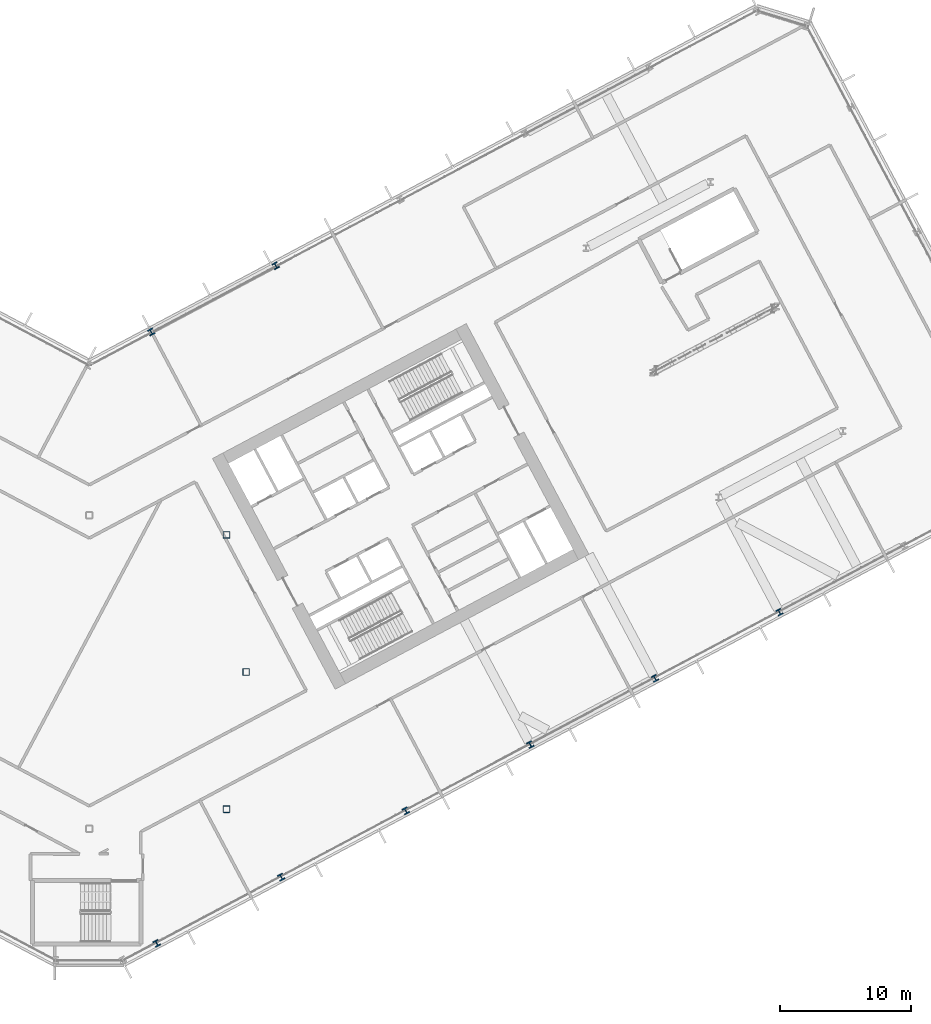
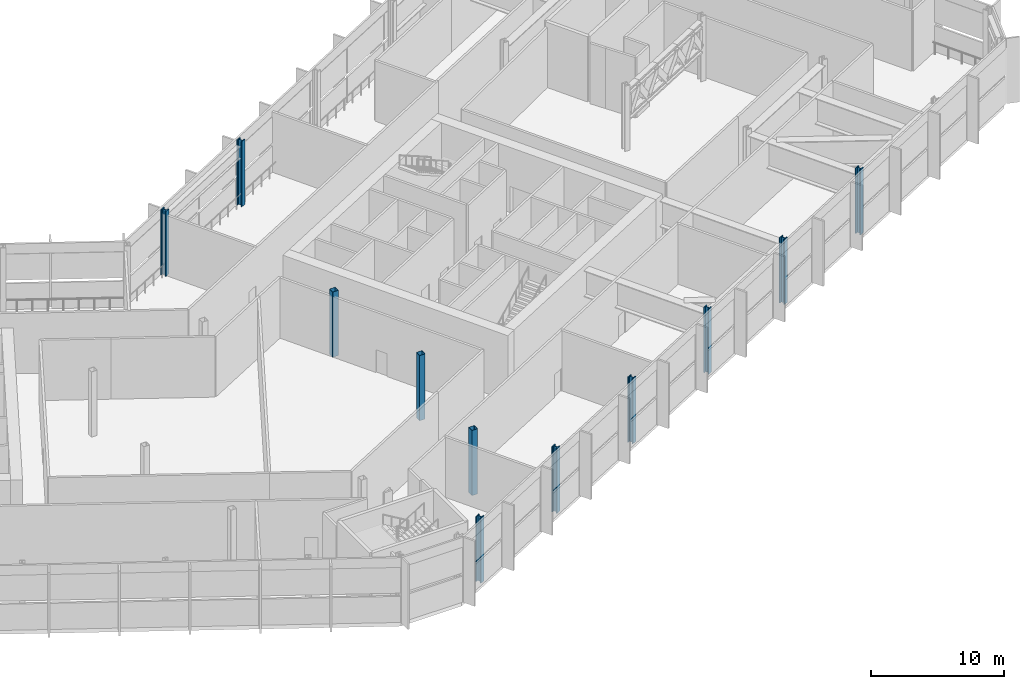
# One storey, part 3 of 33: 11 columns.
"""IFC4 building model written with IfcOpenShell, lengths in metres."""

import ifcopenshell
import ifcopenshell.guid

model = None  # the IFC model being written
_history = None  # IfcOwnerHistory: only IFC2X3 demands one
_inside = {}  # id of a spatial element -> (the spatial element, [elements in it])
_under = {}  # id of a project, library or spatial element -> (it, [spatial elements below it])
_declared = {}  # id of a project -> (the project, [libraries it declares])
_typed = {}  # id of a type object -> (the type object, [elements of that type])
_made_of = {}  # id of a material, layer set ... -> (it, [elements and type objects made of it])


def new_model(schema):
    """Start an empty IFC model of exactly this schema.

    Asked for "IFC4X3", IfcOpenShell would pick the latest addendum, in which some entities
    have other attributes; the version numbers below select the first issue.
    IFC2X3 requires an IfcOwnerHistory on every rooted entity: one is made here for all.
    """
    global model, _history
    if schema == "IFC4X3":
        model = ifcopenshell.file(schema_version=(4, 3, 0, 0))
    else:
        model = ifcopenshell.file(schema=schema)
    _inside.clear()
    _under.clear()
    _declared.clear()
    _typed.clear()
    _made_of.clear()
    _history = None
    if model.schema == "IFC2X3":
        org = make("IfcOrganization", Name="unknown")
        user = make(
            "IfcPersonAndOrganization",
            ThePerson=make("IfcPerson", FamilyName="unknown"),
            TheOrganization=org,
        )
        app = make(
            "IfcApplication",
            ApplicationDeveloper=org,
            Version="unknown",
            ApplicationFullName="unknown",
            ApplicationIdentifier="unknown",
        )
        _history = make(
            "IfcOwnerHistory",
            OwningUser=user,
            OwningApplication=app,
            ChangeAction="ADDED",
            CreationDate=0,
        )
    return model


def make(cls, **values):
    """One entity of the class cls with the attributes given. An attribute that is None is left unset."""
    return model.create_entity(
        cls, **{name: value for name, value in values.items() if value is not None}
    )


def rooted(cls, **values):
    """An entity with a GlobalId (a new one), such as an element, a storey or a relation."""
    return make(cls, GlobalId=ifcopenshell.guid.new(), OwnerHistory=_history, **values)


def si_unit(unit_type, name, prefix=None):
    """IfcSIUnit, for example si_unit("LENGTHUNIT", "METRE", prefix="MILLI")."""
    return make("IfcSIUnit", UnitType=unit_type, Prefix=prefix, Name=name)


def assignment(units):
    """IfcUnitAssignment: the units of a project."""
    return None if units is None else make("IfcUnitAssignment", Units=units)


def point(xyz):
    """IfcCartesianPoint."""
    return None if xyz is None else make("IfcCartesianPoint", Coordinates=xyz)


def direction(xyz):
    """IfcDirection."""
    return None if xyz is None else make("IfcDirection", DirectionRatios=xyz)


def frame(location, z_axis=None, x_axis=None):
    """IfcAxis2Placement3D, a coordinate frame: its origin and axes. An axis left out is left unset."""
    return make(
        "IfcAxis2Placement3D",
        Location=point(location),
        Axis=direction(z_axis),
        RefDirection=direction(x_axis),
    )


def frame_2d(location, x_axis=None):
    """IfcAxis2Placement2D, a coordinate frame in the plane: its origin and x axis."""
    return make(
        "IfcAxis2Placement2D", Location=point(location), RefDirection=direction(x_axis)
    )


def origin():
    """The frame at (0, 0, 0) with its axes left unset."""
    return frame((0.0, 0.0, 0.0))


def origin_2d():
    """The frame at (0, 0) in the plane with its x axis left unset."""
    return frame_2d((0.0, 0.0))


def place(relative_to, where):
    """IfcLocalPlacement: puts the frame where relative to a parent placement (None: the world)."""
    return make(
        "IfcLocalPlacement", PlacementRelTo=relative_to, RelativePlacement=where
    )


def context(
    kind, dimensions, precision=None, world=None, true_north=None, identifier=None
):
    """IfcGeometricRepresentationContext, for example the 3D "Model" context."""
    return make(
        "IfcGeometricRepresentationContext",
        ContextIdentifier=identifier,
        ContextType=kind,
        CoordinateSpaceDimension=dimensions,
        Precision=precision,
        WorldCoordinateSystem=world,
        TrueNorth=true_north,
    )


def subcontext(parent, identifier, kind, view, scale=None):
    """IfcGeometricRepresentationSubContext, for example "Body" below "Model"."""
    return make(
        "IfcGeometricRepresentationSubContext",
        ContextIdentifier=identifier,
        ContextType=kind,
        ParentContext=parent,
        TargetScale=scale,
        TargetView=view,
    )


def project(units=None, contexts=None):
    """IfcProject with its units and contexts."""
    return rooted(
        "IfcProject",
        Name="project",
        RepresentationContexts=contexts,
        UnitsInContext=assignment(units),
    )


def spatial(cls, under=None, at=None, **own):
    """A site, building, storey or space (cls), placed at a placement, below another one or the project."""
    s = rooted(cls, ObjectPlacement=at, **own)
    if under is not None:
        _under.setdefault(under.id(), (under, []))[1].append(s)
    return s


def profile(cls, at=None, kind="AREA", **sizes):
    """A parametric profile (cls). Its sizes go by their IFC names, for example OverallWidth=200.0."""
    return make(cls, ProfileType=kind, Position=at, **sizes)


def hollow_rectangle(**sizes):
    """IfcRectangleHollowProfileDef."""
    return profile("IfcRectangleHollowProfileDef", **sizes)


def i_section(**sizes):
    """IfcIShapeProfileDef."""
    return profile("IfcIShapeProfileDef", **sizes)


def extrude(swept, where, along, depth):
    """IfcExtrudedAreaSolid: the profile swept, set in the frame where, extruded along a direction by depth."""
    return make(
        "IfcExtrudedAreaSolid",
        SweptArea=swept,
        Position=where,
        ExtrudedDirection=direction(along),
        Depth=depth,
    )


def shape(context_of_items, identifier, shape_type, items):
    """IfcShapeRepresentation: the items that make up one representation, for example the "Body"."""
    return make(
        "IfcShapeRepresentation",
        ContextOfItems=context_of_items,
        RepresentationIdentifier=identifier,
        RepresentationType=shape_type,
        Items=items,
    )


def material(Name=None, Category=None):
    """IfcMaterial."""
    return make("IfcMaterial", Name=Name, Category=Category)


def material_profile(
    of_material, cross_section, Name=None, Category=None, Priority=None
):
    """IfcMaterialProfile: a cross section and its material."""
    return make(
        "IfcMaterialProfile",
        Name=Name,
        Material=of_material,
        Profile=cross_section,
        Priority=Priority,
        Category=Category,
    )


def profile_set(profiles, Name=None, composite=None):
    """IfcMaterialProfileSet."""
    return make(
        "IfcMaterialProfileSet",
        Name=Name,
        MaterialProfiles=profiles,
        CompositeProfile=composite,
    )


def made_of(thing, what):
    """Note that an element or type object is made of a material, layer set ...; save() writes the relation."""
    if what is not None:
        _made_of.setdefault(what.id(), (what, []))[1].append(thing)
    return thing


def type_object(cls, material=None, **own):
    """A type object (cls), such as IfcWallType, which elements share."""
    return made_of(rooted(cls, **own), material)


def element(
    cls,
    number,
    at=None,
    inside=None,
    cuts=None,
    type_object=None,
    material=None,
    context=None,
    identifier="Body",
    shape_type=None,
    held_by="IfcProductDefinitionShape",
    body=None,
    shapes=None,
    **own,
):
    """One element of the class cls, such as IfcWall. Its Tag is "e" and its number.

    at: its placement. inside: the storey or other place that contains it. cuts: it is an
    opening in that element (IfcRelVoidsElement). A single representation is given by context,
    identifier, shape_type and body (its items); several are given by shapes. held_by: the class
    of the entity that holds the representations. save() writes the other relations.
    """
    e = rooted(cls, Tag="e%d" % number, ObjectPlacement=at, **own)
    if body is not None:
        shapes = [shape(context, identifier, shape_type, body)]
    if shapes is not None:
        e.Representation = make(held_by, Representations=shapes)
    if inside is not None:
        _inside.setdefault(inside.id(), (inside, []))[1].append(e)
    if cuts is not None:
        rooted(
            "IfcRelVoidsElement", RelatingBuildingElement=cuts, RelatedOpeningElement=e
        )
    if type_object is not None:
        _typed.setdefault(type_object.id(), (type_object, []))[1].append(e)
    return made_of(e, material)


def aggregate(whole, parts):
    """IfcRelAggregates: a whole, such as a stair, and the parts it consists of."""
    return rooted("IfcRelAggregates", RelatingObject=whole, RelatedObjects=parts)


def save(model, path):
    """Write the relations noted so far, then the file.

    IfcRelAggregates (storeys below a building ...), IfcRelContainedInSpatialStructure (elements
    in a storey), IfcRelDefinesByType, IfcRelAssociatesMaterial and IfcRelDeclares: one each for
    every whole, place, type object, material and project.
    """
    for whole, parts in _under.values():
        aggregate(whole, parts)
    for where, things in _inside.values():
        rooted(
            "IfcRelContainedInSpatialStructure",
            RelatedElements=things,
            RelatingStructure=where,
        )
    for kind, things in _typed.values():
        rooted("IfcRelDefinesByType", RelatedObjects=things, RelatingType=kind)
    for what, things in _made_of.values():
        rooted("IfcRelAssociatesMaterial", RelatedObjects=things, RelatingMaterial=what)
    for by, libraries in _declared.values():
        rooted("IfcRelDeclares", RelatingContext=by, RelatedDefinitions=libraries)
    model.write(path)


model = new_model("IFC4")

# Units and contexts
model_context = context("Model", 3, precision=1e-05, world=origin(), true_north=direction((0.0, 1.0)))
body_context = subcontext(model_context, "Body", "Model", "MODEL_VIEW")
ifc_project = project(units=[si_unit("LENGTHUNIT", "METRE"), si_unit("AREAUNIT", "SQUARE_METRE"), si_unit("VOLUMEUNIT", "CUBIC_METRE"), si_unit("PLANEANGLEUNIT", "RADIAN"), si_unit("MASSUNIT", "GRAM", prefix="KILO")], contexts=[model_context])

# Site, building, storey
site_placement = place(None, origin())
site = spatial("IfcSite", under=ifc_project, at=site_placement, CompositionType="ELEMENT")
building_placement = place(site_placement, origin())
building = spatial("IfcBuilding", under=site, at=building_placement, Name="Cormorant Relay Tower", CompositionType="ELEMENT")
storey_placement = place(building_placement, frame((0.0, 0.0, 112.199951171875)))
storey = spatial("IfcBuildingStorey", under=building, at=storey_placement, Name="L22", CompositionType="ELEMENT", Elevation=112.199951171875)

# Columns
ifc_material_1 = material(Name="Steel ASTM A500 Grade C (Fy 345 MPa)", Category="steel")
ifc_material_profile_1 = material_profile(ifc_material_1, hollow_rectangle(XDim=0.508056640625, YDim=0.508056640625, WallThickness=0.020751953125, InnerFilletRadius=0.01025390625, OuterFilletRadius=0.031005859375, at=origin_2d()), Name="HSS508x508x21")
ifc_profile_set_1 = profile_set([ifc_material_profile_1], Name="Steel ASTM A500 Grade C (Fy 345 MPa)")
column_type_1 = type_object("IfcColumnType", Name="Column HSS508x508x21", PredefinedType="COLUMN", material=ifc_profile_set_1)
for number, where, z_axis, x_axis, name in (
    (1, (10.5, -10.5, 0.0), (0.0, 0.0, 1.0), (1.0, 0.0, 0.0), "Column L22-010"),
    (2, (12.0, 0.0, 0.0), (0.0, 0.0, 1.0), (1.0, 0.0, 0.0), "Column L22-016"),
    (3, (10.5, 10.5, 0.0), (0.0, 0.0, 1.0), (1.0, 0.0, 0.0), "Column L22-023"),
):
    element("IfcColumn", number, at=place(storey_placement, frame(where, z_axis=z_axis, x_axis=x_axis)), inside=storey, type_object=column_type_1, Name=name, PredefinedType="COLUMN", context=body_context, shape_type="SweptSolid", body=[
        extrude(hollow_rectangle(XDim=0.508056640625, YDim=0.508056640625, WallThickness=0.020751953125, InnerFilletRadius=0.01025390625, OuterFilletRadius=0.031005859375, at=origin_2d()), origin(), (0.0, 0.0, 1.0), 6.0),
    ])
ifc_material_2 = material(Name="Steel ASTM A992 (Fy 345 MPa)", Category="steel")
ifc_material_profile_2 = material_profile(ifc_material_2, i_section(OverallWidth=0.42431640625, OverallDepth=0.47509765625, WebThickness=0.0478515625, FlangeThickness=0.0771484375, FilletRadius=0.014892578125, at=origin_2d()), Name="W360x634")
ifc_profile_set_2 = profile_set([ifc_material_profile_2], Name="Steel ASTM A992 (Fy 345 MPa)")
column_type_2 = type_object("IfcColumnType", Name="Column W360x634", PredefinedType="COLUMN", material=ifc_profile_set_2)
for number, where, z_axis, x_axis, name in (
    (4, (5.155029296875, -20.77099609375, 0.0), (0.0, 0.0, 1.0), (0.882947592859, 0.469471562786, 0.0), "Column L22-003"),
    (5, (14.69091796875, -15.700927734375, 0.0), (0.0, 0.0, 1.0), (0.882947592859, 0.469471562786, 0.0), "Column L22-005"),
    (6, (24.22705078125, -10.631103515625, 0.0), (0.0, 0.0, 1.0), (0.882947592859, 0.469471562786, 0.0), "Column L22-008"),
    (7, (33.761962890625, -5.56005859375, 0.0), (0.0, 0.0, 1.0), (0.882947592859, 0.469471562786, 0.0), "Column L22-012"),
    (8, (43.298095703125, -0.489990234375, 0.0), (0.0, 0.0, 1.0), (0.882947592859, 0.469471562786, 0.0), "Column L22-014"),
    (9, (52.833984375, 4.580078125, 0.0), (0.0, 0.0, 1.0), (0.882947592859, 0.469471562786, 0.0), "Column L22-019"),
    (10, (4.73388671875, 26.029052734375, 0.0), (0.0, 0.0, 1.0), (-0.882947592859, -0.469471562786, 0.0), "Column L22-035"),
    (11, (14.27001953125, 31.10009765625, 0.0), (0.0, 0.0, 1.0), (-0.882947592859, -0.469471562786, 0.0), "Column L22-039"),
):
    element("IfcColumn", number, at=place(storey_placement, frame(where, z_axis=z_axis, x_axis=x_axis)), inside=storey, type_object=column_type_2, Name=name, PredefinedType="COLUMN", context=body_context, shape_type="SweptSolid", body=[
        extrude(i_section(OverallWidth=0.42431640625, OverallDepth=0.47509765625, WebThickness=0.0478515625, FlangeThickness=0.0771484375, FilletRadius=0.014892578125, at=origin_2d()), origin(), (0.0, 0.0, 1.0), 6.0),
    ])

save(model, "model.ifc")
